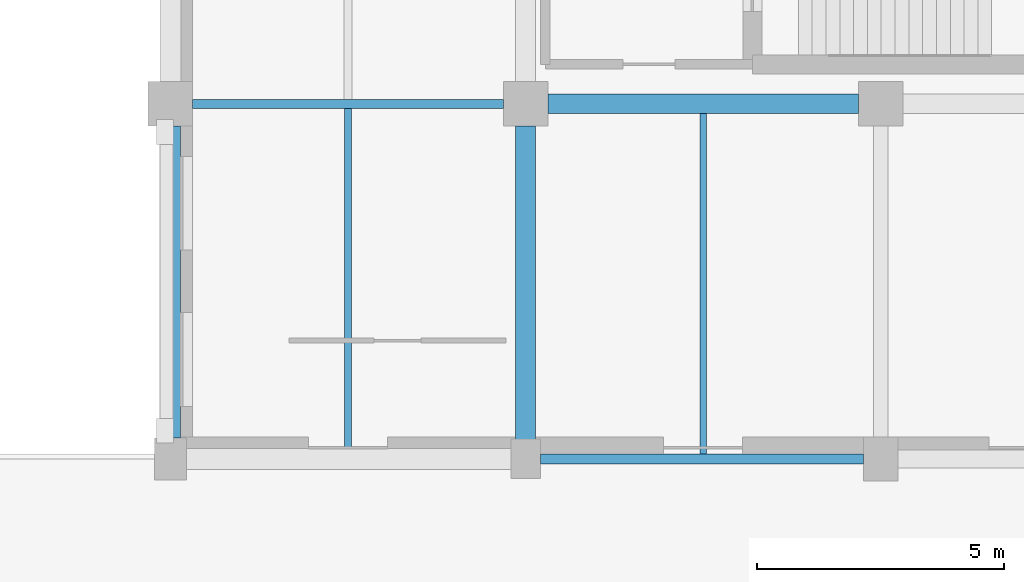
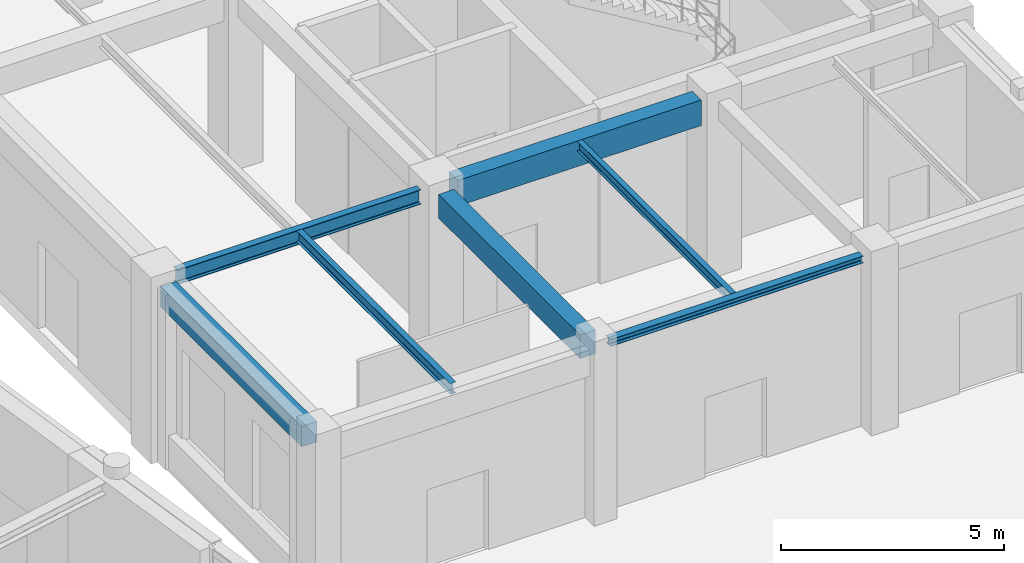
# One storey, part 35 of 64: 7 beams.
"""IFC4 building model written with IfcOpenShell, lengths in metres."""

from ifc_helpers import new_model, si_unit, direction, frame, origin, origin_2d, place, context, subcontext, project, spatial, rectangle, i_section, extrude, material, material_profile, profile_set, type_object, element, save


model = new_model("IFC4")

# Units and contexts
model_context = context("Model", 3, precision=1e-05, world=origin(), true_north=direction((0.0, 1.0)))
body_context = subcontext(model_context, "Body", "Model", "MODEL_VIEW")
ifc_project = project(units=[si_unit("LENGTHUNIT", "METRE"), si_unit("AREAUNIT", "SQUARE_METRE"), si_unit("VOLUMEUNIT", "CUBIC_METRE"), si_unit("PLANEANGLEUNIT", "RADIAN"), si_unit("MASSUNIT", "GRAM", prefix="KILO")], contexts=[model_context])

# Site, building, storey
site_placement = place(None, origin())
site = spatial("IfcSite", under=ifc_project, at=site_placement, CompositionType="ELEMENT")
building_placement = place(site_placement, origin())
building = spatial("IfcBuilding", under=site, at=building_placement, Name="Clarverna Civic Hall", CompositionType="ELEMENT")
storey_placement = place(building_placement, origin())
storey = spatial("IfcBuildingStorey", under=building, at=storey_placement, Name="L00", CompositionType="ELEMENT", Elevation=0.0)

# Beams
ifc_material_1 = material(Name="Steel S355", Category="steel")
ifc_material_profile_1 = material_profile(ifc_material_1, i_section(OverallWidth=0.199951171875, OverallDepth=0.18994140625, WebThickness=0.006591796875, FlangeThickness=0.010009765625, FilletRadius=0.01806640625, at=origin_2d()), Name="HEA 200")
ifc_profile_set_1 = profile_set([ifc_material_profile_1], Name="Steel S355")
beam_type_1 = type_object("IfcBeamType", Name="B-LN2", PredefinedType="LINTEL", material=ifc_profile_set_1)
beam_1_placement = place(storey_placement, frame((155.10009765625, 71.60009765625, 4.68505859375), z_axis=(1.0, 0.0, 0.0), x_axis=(0.0, 1.0, 0.0)))
element("IfcBeam", 1, at=beam_1_placement, inside=storey, type_object=beam_type_1, Name="B-LN2-006", PredefinedType="LINTEL", context=body_context, shape_type="SweptSolid", body=[
    extrude(i_section(OverallWidth=0.199951171875, OverallDepth=0.18994140625, WebThickness=0.006591796875, FlangeThickness=0.010009765625, FilletRadius=0.01806640625, at=origin_2d()), origin(), (0.0, 0.0, 1.0), 6.5498046875),
])
ifc_material_2 = material(Name="Concrete C35/45", Category="concrete")
ifc_material_profile_2 = material_profile(ifc_material_2, rectangle(XDim=0.39990234375, YDim=0.699951171875, at=origin_2d()), Name="RC 400x700")
ifc_profile_set_2 = profile_set([ifc_material_profile_2], Name="Concrete C35/45")
beam_type_2 = type_object("IfcBeamType", Name="B-RC5", PredefinedType="BEAM", material=ifc_profile_set_2)
beam_2_placement = place(storey_placement, frame((155.25, 78.800048828125, 4.429931640625), z_axis=(1.0, 0.0, 0.0), x_axis=(0.0, 1.0, 0.0)))
element("IfcBeam", 2, at=beam_2_placement, inside=storey, type_object=beam_type_2, Name="B-RC5-019", PredefinedType="BEAM", context=body_context, shape_type="SweptSolid", body=[
    extrude(rectangle(XDim=0.39990234375, YDim=0.699951171875, at=origin_2d()), origin(), (0.0, 0.0, 1.0), 6.300048828125),
])
ifc_material_profile_3 = material_profile(ifc_material_2, rectangle(XDim=0.39990234375, YDim=0.64990234375, at=origin_2d()), Name="RC 400x650")
ifc_profile_set_3 = profile_set([ifc_material_profile_3], Name="Concrete C35/45")
beam_type_3 = type_object("IfcBeamType", Name="B-RC6", PredefinedType="BEAM", material=ifc_profile_set_3)
beam_3_placement = place(storey_placement, frame((154.800048828125, 72.0, 4.455078125), z_axis=(0.0, 1.0, 0.0), x_axis=(-1.0, 0.0, 0.0)))
element("IfcBeam", 3, at=beam_3_placement, inside=storey, type_object=beam_type_3, Name="B-RC6-024", PredefinedType="BEAM", context=body_context, shape_type="SweptSolid", body=[
    extrude(rectangle(XDim=0.39990234375, YDim=0.64990234375, at=origin_2d()), origin(), (0.0, 0.0, 1.0), 6.35009765625),
])
ifc_material_profile_4 = material_profile(ifc_material_2, rectangle(XDim=0.39990234375, YDim=0.56005859375, at=origin_2d()), Name="RC 400x560")
ifc_profile_set_4 = profile_set([ifc_material_profile_4], Name="Concrete C35/45")
beam_type_4 = type_object("IfcBeamType", Name="B-SP4", PredefinedType="SPANDREL", material=ifc_profile_set_4)
beam_4_placement = place(storey_placement, frame((147.60009765625, 72.02490234375, 4.5), z_axis=(0.0, 1.0, 0.0), x_axis=(-1.0, 0.0, 0.0)))
element("IfcBeam", 4, at=beam_4_placement, inside=storey, type_object=beam_type_4, Name="B-SP4-051", PredefinedType="SPANDREL", context=body_context, shape_type="SweptSolid", body=[
    extrude(rectangle(XDim=0.39990234375, YDim=0.56005859375, at=origin_2d()), origin(), (0.0, 0.0, 1.0), 6.3251953125),
])
ifc_material_profile_5 = material_profile(ifc_material_1, i_section(OverallWidth=0.179931640625, OverallDepth=0.39990234375, WebThickness=0.008544921875, FlangeThickness=0.013427734375, FilletRadius=0.02099609375, at=origin_2d()), Name="IPE 400")
ifc_profile_set_5 = profile_set([ifc_material_profile_5], Name="Steel S355")
beam_type_5 = type_object("IfcBeamType", Name="B-ST14", PredefinedType="BEAM", material=ifc_profile_set_5)
beam_5_placement = place(storey_placement, frame((148.050048828125, 78.800048828125, 4.580078125), z_axis=(1.0, 0.0, 0.0), x_axis=(0.0, 1.0, 0.0)))
element("IfcBeam", 5, at=beam_5_placement, inside=storey, type_object=beam_type_5, Name="B-ST14-002", PredefinedType="BEAM", context=body_context, shape_type="SweptSolid", body=[
    extrude(i_section(OverallWidth=0.179931640625, OverallDepth=0.39990234375, WebThickness=0.008544921875, FlangeThickness=0.013427734375, FilletRadius=0.02099609375, at=origin_2d()), origin(), (0.0, 0.0, 1.0), 6.300048828125),
])
ifc_material_profile_6 = material_profile(ifc_material_1, i_section(OverallWidth=0.14990234375, OverallDepth=0.300048828125, WebThickness=0.007080078125, FlangeThickness=0.0107421875, FilletRadius=0.014892578125, at=origin_2d()), Name="IPE 300")
ifc_profile_set_6 = profile_set([ifc_material_profile_6], Name="Steel S355")
beam_type_6 = type_object("IfcBeamType", Name="J-ST3", PredefinedType="JOIST", material=ifc_profile_set_6)
beam_6_placement = place(storey_placement, frame((151.199951171875, 71.81005859375, 4.6298828125), z_axis=(0.0, 1.0, 0.0), x_axis=(-1.0, 0.0, 0.0)))
element("IfcBeam", 6, at=beam_6_placement, inside=storey, type_object=beam_type_6, Name="J-ST3-028", PredefinedType="JOIST", context=body_context, shape_type="SweptSolid", body=[
    extrude(i_section(OverallWidth=0.14990234375, OverallDepth=0.300048828125, WebThickness=0.007080078125, FlangeThickness=0.0107421875, FilletRadius=0.014892578125, at=origin_2d()), origin(), (0.0, 0.0, 1.0), 6.89990234375),
])
ifc_material_profile_7 = material_profile(ifc_material_1, i_section(OverallWidth=0.135009765625, OverallDepth=0.27001953125, WebThickness=0.006591796875, FlangeThickness=0.01025390625, FilletRadius=0.014892578125, at=origin_2d()), Name="IPE 270")
ifc_profile_set_7 = profile_set([ifc_material_profile_7], Name="Steel S355")
beam_type_7 = type_object("IfcBeamType", Name="J-ST4", PredefinedType="JOIST", material=ifc_profile_set_7)
beam_7_placement = place(storey_placement, frame((158.39990234375, 71.699951171875, 4.64501953125), z_axis=(0.0, 1.0, 0.0), x_axis=(-1.0, 0.0, 0.0)))
element("IfcBeam", 7, at=beam_7_placement, inside=storey, type_object=beam_type_7, Name="J-ST4-030", PredefinedType="JOIST", context=body_context, shape_type="SweptSolid", body=[
    extrude(i_section(OverallWidth=0.135009765625, OverallDepth=0.27001953125, WebThickness=0.006591796875, FlangeThickness=0.01025390625, FilletRadius=0.014892578125, at=origin_2d()), origin(), (0.0, 0.0, 1.0), 6.900146484375),
])

save(model, "model.ifc")
